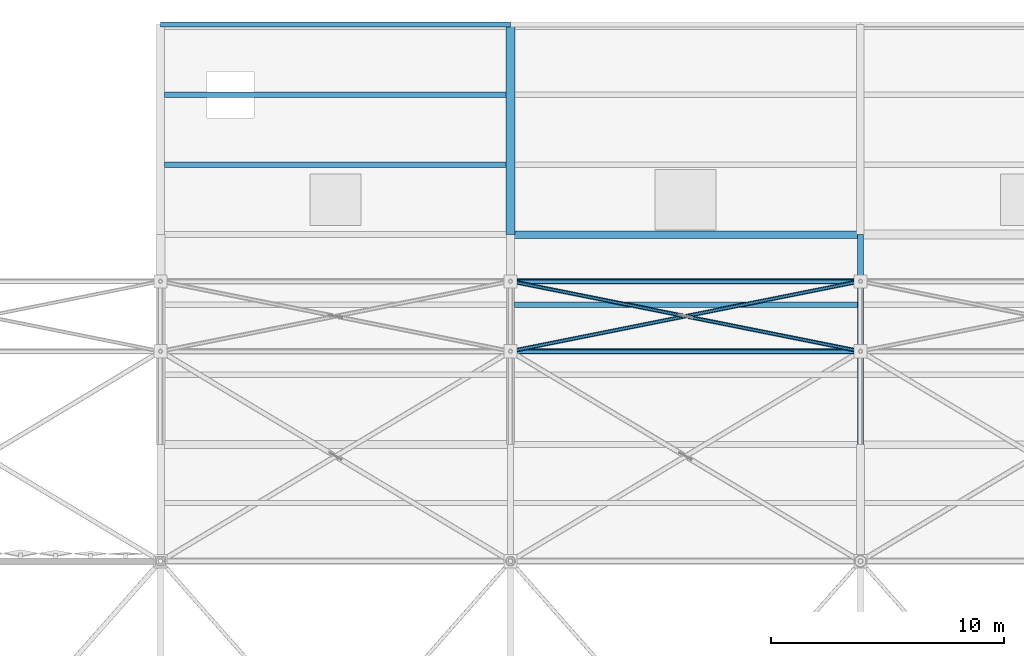
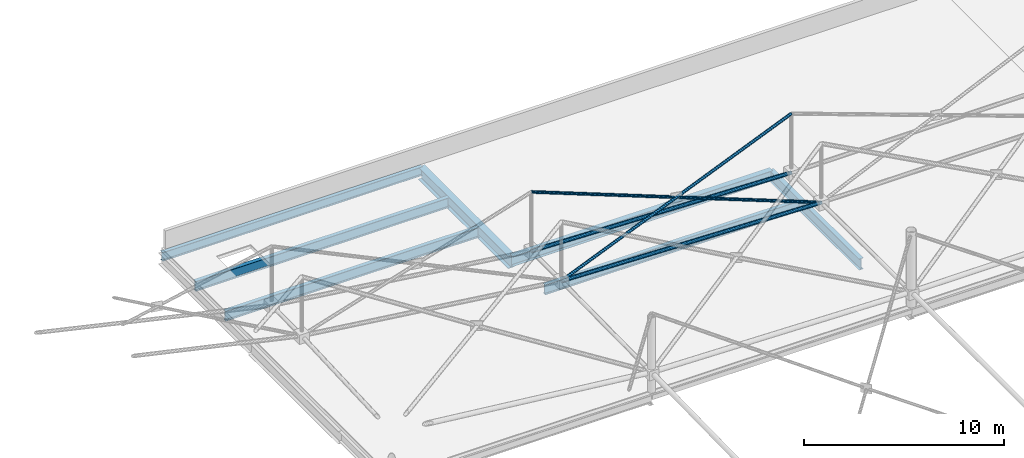
# One storey, part 92 of 224: 7 beams, 5 members.
"""IFC4 building model written with IfcOpenShell, lengths in metres."""

from ifc_helpers import new_model, si_unit, direction, frame, origin, origin_2d, place, context, subcontext, project, spatial, hollow_circle, i_section, extrude, material, material_profile, profile_set, type_object, element, save


model = new_model("IFC4")

# Units and contexts
model_context = context("Model", 3, precision=1e-05, world=origin(), true_north=direction((0.0, 1.0)))
body_context = subcontext(model_context, "Body", "Model", "MODEL_VIEW")
ifc_project = project(units=[si_unit("LENGTHUNIT", "METRE"), si_unit("AREAUNIT", "SQUARE_METRE"), si_unit("VOLUMEUNIT", "CUBIC_METRE"), si_unit("PLANEANGLEUNIT", "RADIAN"), si_unit("MASSUNIT", "GRAM", prefix="KILO")], contexts=[model_context])

# Site, building, storey
site_placement = place(None, origin())
site = spatial("IfcSite", under=ifc_project, at=site_placement, CompositionType="ELEMENT")
building_placement = place(site_placement, origin())
building = spatial("IfcBuilding", under=site, at=building_placement, Name="Qamarlyn Nura Convention Centre", CompositionType="ELEMENT")
storey_placement = place(building_placement, frame((0.0, 0.0, 10.800048828125)))
storey = spatial("IfcBuildingStorey", under=building, at=storey_placement, Name="L02", CompositionType="ELEMENT", Elevation=10.800048828125)

# Beams
ifc_material_1 = material(Name="Steel ASTM A992", Category="steel")
ifc_material_profile_1 = material_profile(ifc_material_1, i_section(OverallWidth=0.323974609375, OverallDepth=0.611083984375, WebThickness=0.0126953125, FlangeThickness=0.01904296875, FilletRadius=0.01611328125, at=origin_2d()), Name="W610X155")
ifc_profile_set_1 = profile_set([ifc_material_profile_1], Name="Steel ASTM A992")
beam_type_1 = type_object("IfcBeamType", Name="BM-GIRD-610", PredefinedType="BEAM", material=ifc_profile_set_1)
beam_1_placement = place(storey_placement, frame((30.0, 117.0, -0.50048828125), z_axis=(1.0, 0.0, 0.0), x_axis=(0.0, 1.0, 0.0)))
element("IfcBeam", 1, at=beam_1_placement, inside=storey, type_object=beam_type_1, Name="L02 girder P 3-4", PredefinedType="BEAM", context=body_context, shape_type="SweptSolid", body=[
    extrude(i_section(OverallWidth=0.323974609375, OverallDepth=0.611083984375, WebThickness=0.0126953125, FlangeThickness=0.01904296875, FilletRadius=0.01611328125, at=origin_2d()), origin(), (0.0, 0.0, 1.0), 15.0),
])
ifc_material_profile_2 = material_profile(ifc_material_1, i_section(OverallWidth=0.25390625, OverallDepth=0.68408203125, WebThickness=0.012451171875, FlangeThickness=0.01904296875, FilletRadius=0.01806640625, at=origin_2d()), Name="W690X140")
ifc_profile_set_2 = profile_set([ifc_material_profile_2], Name="Steel ASTM A992")
beam_type_2 = type_object("IfcBeamType", Name="BM-GIRD-690B", PredefinedType="BEAM", material=ifc_profile_set_2)
beam_2_placement = place(storey_placement, frame((45.0, 108.0, -0.537109375), z_axis=(0.0, 1.0, 0.0), x_axis=(-1.0, 0.0, 0.0)))
element("IfcBeam", 2, at=beam_2_placement, inside=storey, type_object=beam_type_2, Name="L02 girder 4 N-P", PredefinedType="BEAM", context=body_context, shape_type="SweptSolid", body=[
    extrude(i_section(OverallWidth=0.25390625, OverallDepth=0.68408203125, WebThickness=0.012451171875, FlangeThickness=0.01904296875, FilletRadius=0.01806640625, at=origin_2d()), origin(), (0.0, 0.0, 1.0), 9.0),
])
ifc_material_profile_3 = material_profile(ifc_material_1, i_section(OverallWidth=0.381103515625, OverallDepth=0.77294921875, WebThickness=0.0166015625, FlangeThickness=0.027587890625, FilletRadius=0.02001953125, at=origin_2d()), Name="W760X257")
ifc_profile_set_3 = profile_set([ifc_material_profile_3], Name="Steel ASTM A992")
beam_type_3 = type_object("IfcBeamType", Name="BM-GIRD-760", PredefinedType="BEAM", material=ifc_profile_set_3)
beam_3_placement = place(storey_placement, frame((30.0, 117.0, -0.58154296875), z_axis=(0.0, 1.0, 0.0), x_axis=(-1.0, 0.0, 0.0)))
element("IfcBeam", 3, at=beam_3_placement, inside=storey, type_object=beam_type_3, Name="L02 girder 3 P-Q", PredefinedType="BEAM", context=body_context, shape_type="SweptSolid", body=[
    extrude(i_section(OverallWidth=0.381103515625, OverallDepth=0.77294921875, WebThickness=0.0166015625, FlangeThickness=0.027587890625, FilletRadius=0.02001953125, at=origin_2d()), origin(), (0.0, 0.0, 1.0), 9.0),
])
ifc_material_profile_4 = material_profile(ifc_material_1, i_section(OverallWidth=0.22802734375, OverallDepth=0.60791015625, WebThickness=0.01123046875, FlangeThickness=0.017333984375, FilletRadius=0.01611328125, at=origin_2d()), Name="W610X113")
ifc_profile_set_4 = profile_set([ifc_material_profile_4], Name="Steel ASTM A992")
beam_type_4 = type_object("IfcBeamType", Name="BM-JOIST-610", PredefinedType="JOIST", material=ifc_profile_set_4)
for number, where, z_axis, x_axis, name in (
    (4, (15.177490234375, 120.0, -0.4990234375), (1.0, 0.0, 0.0), (0.0, 1.0, 0.0), "L02 composite joist 2-3/P+1"),
    (5, (15.177490234375, 123.0, -0.4990234375), (1.0, 0.0, 0.0), (0.0, 1.0, 0.0), "L02 composite joist 2-3/P+2"),
):
    element("IfcBeam", number, at=place(storey_placement, frame(where, z_axis=z_axis, x_axis=x_axis)), inside=storey, type_object=beam_type_4, Name=name, PredefinedType="JOIST", context=body_context, shape_type="SweptSolid", body=[
        extrude(i_section(OverallWidth=0.22802734375, OverallDepth=0.60791015625, WebThickness=0.01123046875, FlangeThickness=0.017333984375, FilletRadius=0.01611328125, at=origin_2d()), origin(), (0.0, 0.0, 1.0), 14.632080078125),
    ])
beam_4_placement = place(storey_placement, frame((30.162109375, 114.0, -0.4990234375), z_axis=(1.0, 0.0, 0.0), x_axis=(0.0, 1.0, 0.0)))
element("IfcBeam", 6, at=beam_4_placement, inside=storey, type_object=beam_type_4, Name="L02 composite joist 3-4/N+2", PredefinedType="JOIST", context=body_context, shape_type="SweptSolid", body=[
    extrude(i_section(OverallWidth=0.22802734375, OverallDepth=0.60791015625, WebThickness=0.01123046875, FlangeThickness=0.017333984375, FilletRadius=0.01611328125, at=origin_2d()), origin(), (0.0, 0.0, 1.0), 14.7109375),
])
ifc_material_profile_5 = material_profile(ifc_material_1, i_section(OverallWidth=0.2109375, OverallDepth=0.5390625, WebThickness=0.01171875, FlangeThickness=0.018798828125, FilletRadius=0.013916015625, at=origin_2d()), Name="W530X109")
ifc_profile_set_5 = profile_set([ifc_material_profile_5], Name="Steel ASTM A992")
beam_type_5 = type_object("IfcBeamType", Name="BM-SPAN-530", PredefinedType="SPANDREL", material=ifc_profile_set_5)
beam_5_placement = place(storey_placement, frame((15.0, 126.0, -0.464599609375), z_axis=(1.0, 0.0, 0.0), x_axis=(0.0, 1.0, 0.0)))
element("IfcBeam", 7, at=beam_5_placement, inside=storey, type_object=beam_type_5, Name="L02 girder Q 2-3", PredefinedType="SPANDREL", context=body_context, shape_type="SweptSolid", body=[
    extrude(i_section(OverallWidth=0.2109375, OverallDepth=0.5390625, WebThickness=0.01171875, FlangeThickness=0.018798828125, FilletRadius=0.013916015625, at=origin_2d()), origin(), (0.0, 0.0, 1.0), 15.0),
])

# Members
ifc_material_2 = material(Name="Pearl-white PVDF steel ASTM A500 Grade C", Category="steel")
ifc_material_profile_6 = material_profile(ifc_material_2, hollow_circle(Radius=0.109619140625, WallThickness=0.010009765625, at=origin_2d()), Name="CHS219.1X10")
ifc_profile_set_6 = profile_set([ifc_material_profile_6], Name="Pearl-white PVDF steel ASTM A500 Grade C")
member_type_1 = type_object("IfcMemberType", Name="SF-BC-EAVE", PredefinedType="CHORD", material=ifc_profile_set_6)
member_1_placement = place(storey_placement, frame((30.0, 112.0, 1.265625), z_axis=(0.999518656268, 0.0, -0.031023471314), x_axis=(0.0, 1.0, 0.0)))
element("IfcMember", 8, at=member_1_placement, inside=storey, type_object=member_type_1, Name="ROOF TRUSS space frame bottom chord X4-8", PredefinedType="CHORD", context=body_context, shape_type="SweptSolid", body=[
    extrude(hollow_circle(Radius=0.109619140625, WallThickness=0.010009765625, at=origin_2d()), origin(), (0.0, 0.0, 1.0), 15.00732421875),
])
member_2_placement = place(storey_placement, frame((30.0, 115.0, 1.274169921875), z_axis=(0.999500838855, 0.0, -0.031592295395), x_axis=(0.0, 1.0, 0.0)))
element("IfcMember", 9, at=member_2_placement, inside=storey, type_object=member_type_1, Name="ROOF TRUSS space frame bottom chord X4-9", PredefinedType="CHORD", context=body_context, shape_type="SweptSolid", body=[
    extrude(hollow_circle(Radius=0.109619140625, WallThickness=0.010009765625, at=origin_2d()), origin(), (0.0, 0.0, 1.0), 15.007568359375),
])
ifc_material_profile_7 = material_profile(ifc_material_2, hollow_circle(Radius=0.084228515625, WallThickness=0.008056640625, at=origin_2d()), Name="CHS168.3X8")
ifc_profile_set_7 = profile_set([ifc_material_profile_7], Name="Pearl-white PVDF steel ASTM A500 Grade C")
member_type_2 = type_object("IfcMemberType", Name="SF-WEB-STD", PredefinedType="BRACE", material=ifc_profile_set_7)
member_3_placement = place(storey_placement, frame((30.0, 112.0, 1.265625), z_axis=(0.960623718106, 0.192124743621, 0.200724077035), x_axis=(-0.196116135138, 0.980580675691, 0.0)))
element("IfcMember", 10, at=member_3_placement, inside=storey, type_object=member_type_2, Name="ROOF TRUSS space frame diagonal A 4-8", PredefinedType="BRACE", context=body_context, shape_type="SweptSolid", body=[
    extrude(hollow_circle(Radius=0.084228515625, WallThickness=0.008056640625, at=origin_2d()), origin(), (0.0, 0.0, 1.0), 15.61474609375),
])
member_4_placement = place(storey_placement, frame((45.0, 112.0, 0.800048828125), z_axis=(-0.947620190587, 0.189517757496, 0.257097246167), x_axis=(-0.196109886014, -0.980581925495, 0.0)))
element("IfcMember", 11, at=member_4_placement, inside=storey, type_object=member_type_2, Name="ROOF TRUSS space frame split diagonal B1 4-8", PredefinedType="BRACE", context=body_context, shape_type="SweptSolid", body=[
    extrude(hollow_circle(Radius=0.084228515625, WallThickness=0.008056640625, at=origin_2d()), origin(), (0.0, 0.0, 1.0), 7.7744140625),
])
member_5_placement = place(storey_placement, frame((37.3671875, 113.526611328125, 2.870849609375), z_axis=(-0.947482355664, 0.189490191425, 0.257625024133), x_axis=(-0.196109886014, -0.980581925495, 0.0)))
element("IfcMember", 12, at=member_5_placement, inside=storey, type_object=member_type_2, Name="ROOF TRUSS space frame split diagonal B2 4-8", PredefinedType="BRACE", context=body_context, shape_type="SweptSolid", body=[
    extrude(hollow_circle(Radius=0.084228515625, WallThickness=0.008056640625, at=origin_2d()), origin(), (0.0, 0.0, 1.0), 7.775634765625),
])

save(model, "model.ifc")
